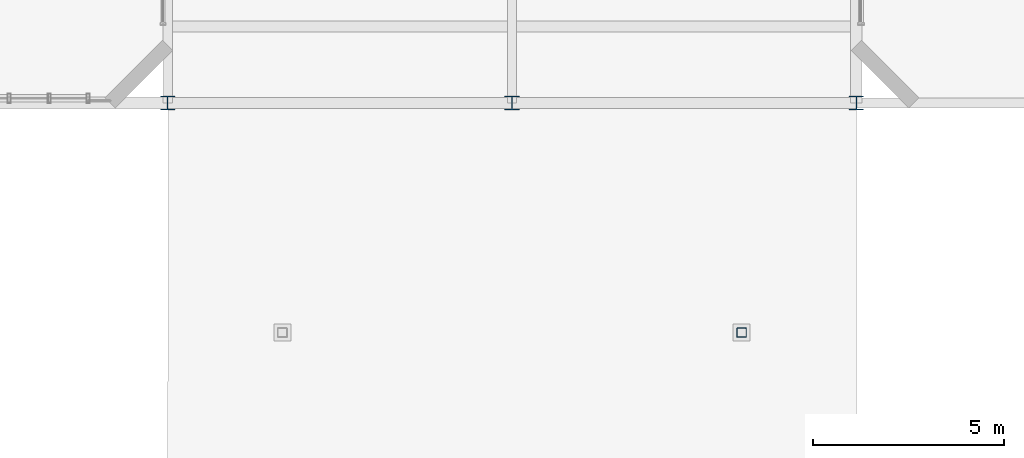
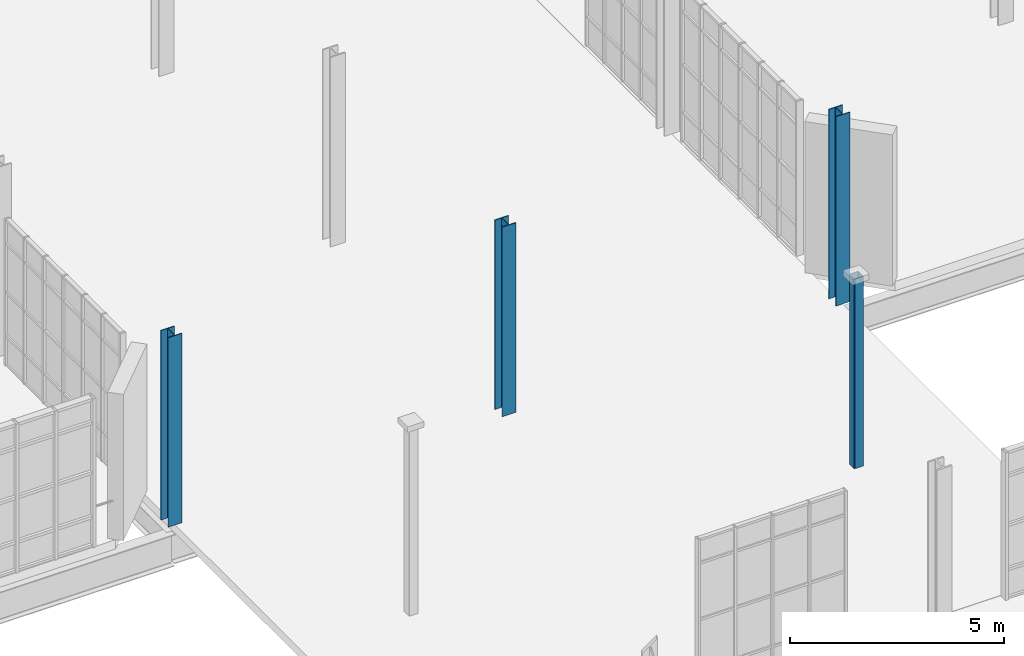
# One storey, part 8 of 189: 4 columns.
"""IFC4 building model written with IfcOpenShell, lengths in metres."""

from ifc_helpers import new_model, si_unit, direction, frame, origin, origin_2d, place, context, subcontext, project, spatial, hollow_rectangle, i_section, extrude, material, material_profile, profile_set, type_object, element, save


model = new_model("IFC4")

# Units and contexts
model_context = context("Model", 3, precision=1e-05, world=origin(), true_north=direction((0.0, 1.0)))
body_context = subcontext(model_context, "Body", "Model", "MODEL_VIEW")
ifc_project = project(units=[si_unit("LENGTHUNIT", "METRE"), si_unit("AREAUNIT", "SQUARE_METRE"), si_unit("VOLUMEUNIT", "CUBIC_METRE"), si_unit("PLANEANGLEUNIT", "RADIAN"), si_unit("MASSUNIT", "GRAM", prefix="KILO"), si_unit("THERMODYNAMICTEMPERATUREUNIT", "KELVIN"), si_unit("POWERUNIT", "WATT")], contexts=[model_context])

# Site, building, storey
site_placement = place(None, origin())
site = spatial("IfcSite", under=ifc_project, at=site_placement, CompositionType="ELEMENT")
building_placement = place(site_placement, origin())
building = spatial("IfcBuilding", under=site, at=building_placement, Name="Zelmaris Science Centre", CompositionType="ELEMENT")
storey_placement = place(building_placement, origin())
storey = spatial("IfcBuildingStorey", under=building, at=storey_placement, Name="L00", CompositionType="ELEMENT", Elevation=0.0)

# Columns
ifc_material_1 = material(Name="Steel ASTM A992 Grade 50", Category="steel")
ifc_material_profile_1 = material_profile(ifc_material_1, i_section(OverallWidth=0.367919921875, OverallDepth=0.35595703125, WebThickness=0.01123046875, FlangeThickness=0.01806640625, FilletRadius=0.014892578125, at=origin_2d()), Name="W14X90")
ifc_profile_set_1 = profile_set([ifc_material_profile_1], Name="Steel ASTM A992 Grade 50")
column_type_1 = type_object("IfcColumnType", Name="Column C-07 W14X90", PredefinedType="COLUMN", material=ifc_profile_set_1)
for number, where, z_axis, x_axis, name in (
    (1, (72.0, 64.0, 0.0), (0.0, 0.0, 1.0), (1.0, 0.0, 0.0), "Column V5-C-72-64 L00"),
    (2, (81.0, 64.0, 0.0), (0.0, 0.0, 1.0), (1.0, 0.0, 0.0), "Column V5-C-81-64 L00"),
    (3, (90.0, 64.0, 0.0), (0.0, 0.0, 1.0), (1.0, 0.0, 0.0), "Column V5-C-90-64 L00"),
):
    element("IfcColumn", number, at=place(storey_placement, frame(where, z_axis=z_axis, x_axis=x_axis)), inside=storey, type_object=column_type_1, Name=name, PredefinedType="COLUMN", context=body_context, shape_type="SweptSolid", body=[
        extrude(i_section(OverallWidth=0.367919921875, OverallDepth=0.35595703125, WebThickness=0.01123046875, FlangeThickness=0.01806640625, FilletRadius=0.014892578125, at=origin_2d()), origin(), (0.0, 0.0, 1.0), 5.39990234375),
    ])
ifc_material_2 = material(Name="Steel ASTM A500 Grade C", Category="steel")
ifc_material_profile_2 = material_profile(ifc_material_2, hollow_rectangle(XDim=0.25390625, YDim=0.25390625, WallThickness=0.01171875, InnerFilletRadius=0.01171875, OuterFilletRadius=0.023681640625, at=origin_2d()), Name="HSS254X254X13")
ifc_profile_set_2 = profile_set([ifc_material_profile_2], Name="Steel ASTM A500 Grade C")
column_type_2 = type_object("IfcColumnType", Name="Column C-11 HSS254X254X13", PredefinedType="COLUMN", material=ifc_profile_set_2)
column_placement = place(storey_placement, frame((87.0, 58.0, 0.0), z_axis=(0.0, 0.0, 1.0), x_axis=(1.0, 0.0, 0.0)))
element("IfcColumn", 4, at=column_placement, inside=storey, type_object=column_type_2, Name="Column LK-N-87 L00", PredefinedType="COLUMN", context=body_context, shape_type="SweptSolid", body=[
    extrude(hollow_rectangle(XDim=0.25390625, YDim=0.25390625, WallThickness=0.01171875, InnerFilletRadius=0.01171875, OuterFilletRadius=0.023681640625, at=origin_2d()), origin(), (0.0, 0.0, 1.0), 5.39990234375),
])

save(model, "model.ifc")
